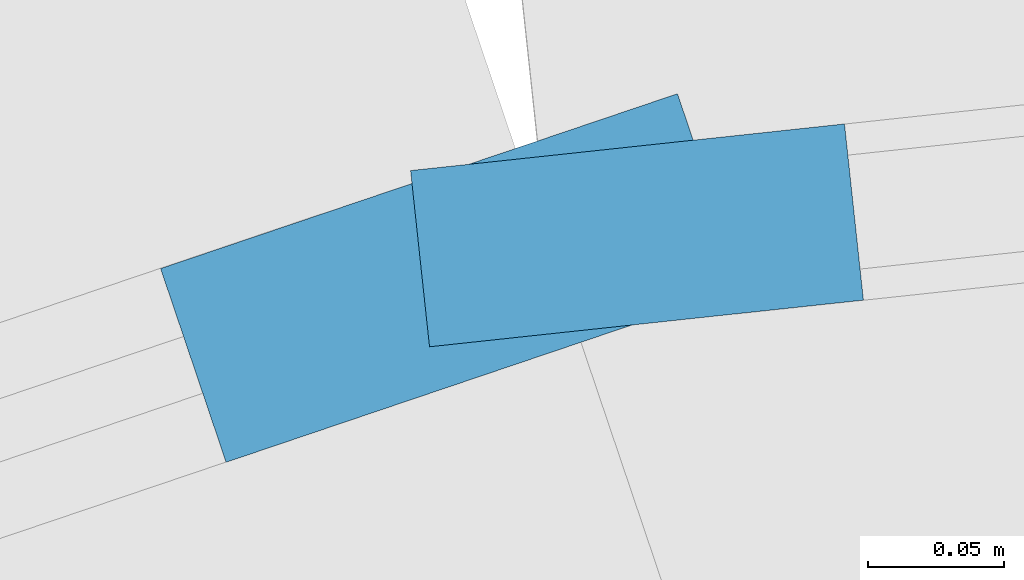
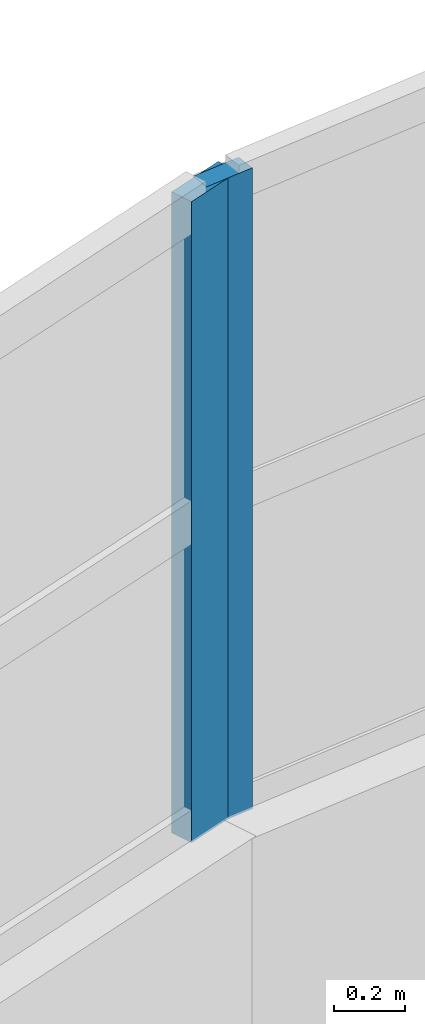
# One storey, part 23 of 54: 2 members, 2 elements without a shape of their own.
"""IFC4 building model written with IfcOpenShell, lengths in metres."""

from ifc_helpers import new_model, si_unit, direction, frame, origin, origin_2d, place, context, subcontext, project, spatial, rectangle, extrude, material, material_profile, profile_set, type_object, element, aggregate, save


model = new_model("IFC4")

# Units and contexts
model_context = context("Model", 3, precision=1e-05, world=origin(), true_north=direction((0.0, 1.0)))
body_context = subcontext(model_context, "Body", "Model", "MODEL_VIEW")
ifc_project = project(units=[si_unit("LENGTHUNIT", "METRE"), si_unit("AREAUNIT", "SQUARE_METRE"), si_unit("VOLUMEUNIT", "CUBIC_METRE"), si_unit("PLANEANGLEUNIT", "RADIAN"), si_unit("MASSUNIT", "GRAM", prefix="KILO")], contexts=[model_context])

# Site, building, storey
site_placement = place(None, origin())
site = spatial("IfcSite", under=ifc_project, at=site_placement, CompositionType="ELEMENT")
building_placement = place(site_placement, origin())
building = spatial("IfcBuilding", under=site, at=building_placement, Name="Parian Resonance Hall", CompositionType="ELEMENT")
storey_placement = place(building_placement, frame((0.0, 0.0, 15.0)))
storey = spatial("IfcBuildingStorey", under=building, at=storey_placement, Name="L03", CompositionType="ELEMENT", Elevation=15.0)

# Curtain wall, member
ifc_material_1 = material(Name="Bronze-anodised aluminium frame", Category="aluminium")
curtain_wall_type_1 = type_object("IfcCurtainWallType", Name="CW-SYS-03", PredefinedType="NOTDEFINED", material=ifc_material_1)
curtain_wall_1_placement = place(storey_placement, origin())
curtain_wall_1 = element("IfcCurtainWall", 1, at=curtain_wall_1_placement, inside=storey, type_object=curtain_wall_type_1, Name="Elliptical R3 recessed strip curtain wall 07", PredefinedType="NOTDEFINED")
ifc_material_2 = material(Name="Bronze-anodised aluminium frame", Category="aluminium")
ifc_material_profile_1 = material_profile(ifc_material_2, rectangle(XDim=0.06494140625, YDim=0.159912109375, at=origin_2d()), Name="CWM-65x160")
ifc_profile_set_1 = profile_set([ifc_material_profile_1], Name="Bronze-anodised aluminium frame")
member_type_1 = type_object("IfcMemberType", Name="CWM-65x160", PredefinedType="MULLION", material=ifc_profile_set_1)
member_1_placement = place(storey_placement, frame((32.253662109375, 65.324462890625, 1.19189453125), z_axis=(0.0, 0.0, 1.0), x_axis=(-0.106870934025, 0.994272901904, 0.0)))
member_1 = element("IfcMember", 2, at=member_1_placement, type_object=member_type_1, Name="CW-03 mullion 1", PredefinedType="MULLION", context=body_context, shape_type="SweptSolid", body=[
    extrude(rectangle(XDim=0.06494140625, YDim=0.159912109375, at=origin_2d()), origin(), (0.0, 0.0, 1.0), 2.218017578125),
])
aggregate(curtain_wall_1, [member_1])

ifc_material_3 = material(Name="Bronze-anodised aluminium frame", Category="aluminium")
curtain_wall_type_2 = type_object("IfcCurtainWallType", Name="CW-SYS-04", PredefinedType="NOTDEFINED", material=ifc_material_3)
curtain_wall_2_placement = place(storey_placement, origin())
curtain_wall_2 = element("IfcCurtainWall", 3, at=curtain_wall_2_placement, inside=storey, type_object=curtain_wall_type_2, Name="Elliptical R3 recessed strip curtain wall 08", PredefinedType="NOTDEFINED")
ifc_material_4 = material(Name="Bronze-anodised aluminium frame", Category="aluminium")
ifc_material_profile_2 = material_profile(ifc_material_4, rectangle(XDim=0.074951171875, YDim=0.199951171875, at=origin_2d()), Name="CWM-75x200")
ifc_profile_set_2 = profile_set([ifc_material_profile_2], Name="Bronze-anodised aluminium frame")
member_type_2 = type_object("IfcMemberType", Name="CWM-75x200", PredefinedType="MULLION", material=ifc_profile_set_2)
member_2_placement = place(storey_placement, frame((32.185791015625, 65.308837890625, 1.19189453125), z_axis=(0.0, 0.0, 1.0), x_axis=(-0.320360084104, 0.947295844239, 0.0)))
member_2 = element("IfcMember", 4, at=member_2_placement, type_object=member_type_2, Name="CW-04 mullion 3", PredefinedType="MULLION", context=body_context, shape_type="SweptSolid", body=[
    extrude(rectangle(XDim=0.074951171875, YDim=0.199951171875, at=origin_2d()), origin(), (0.0, 0.0, 1.0), 2.218017578125),
])
aggregate(curtain_wall_2, [member_2])

save(model, "model.ifc")
